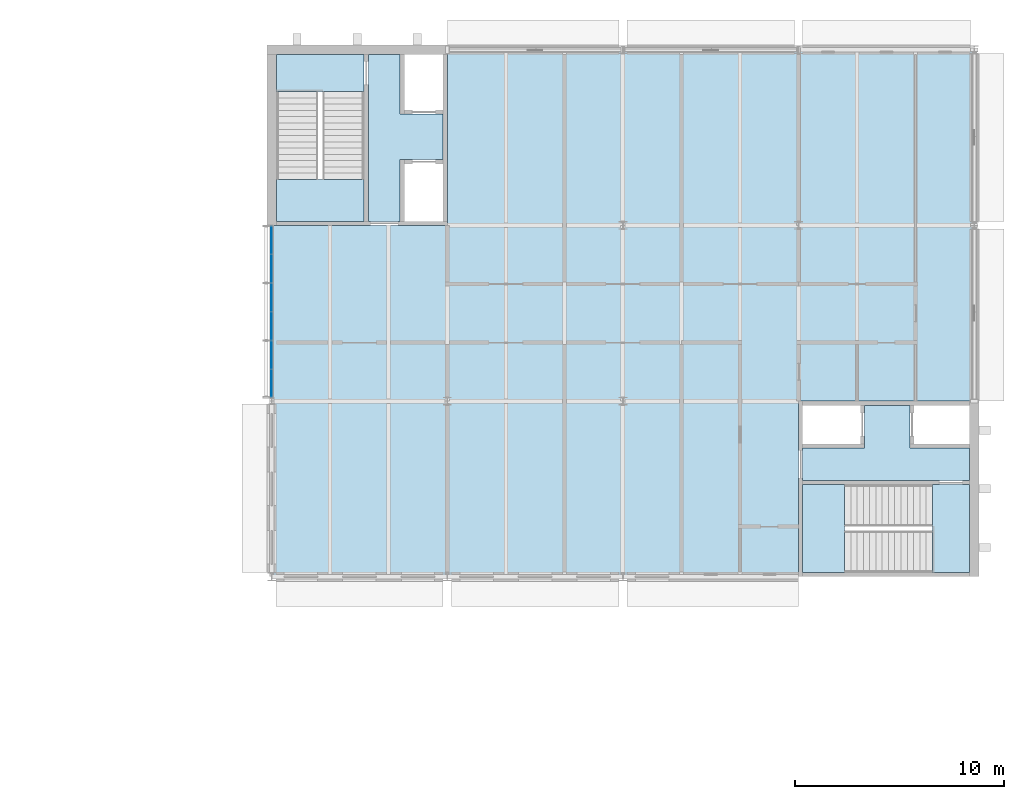
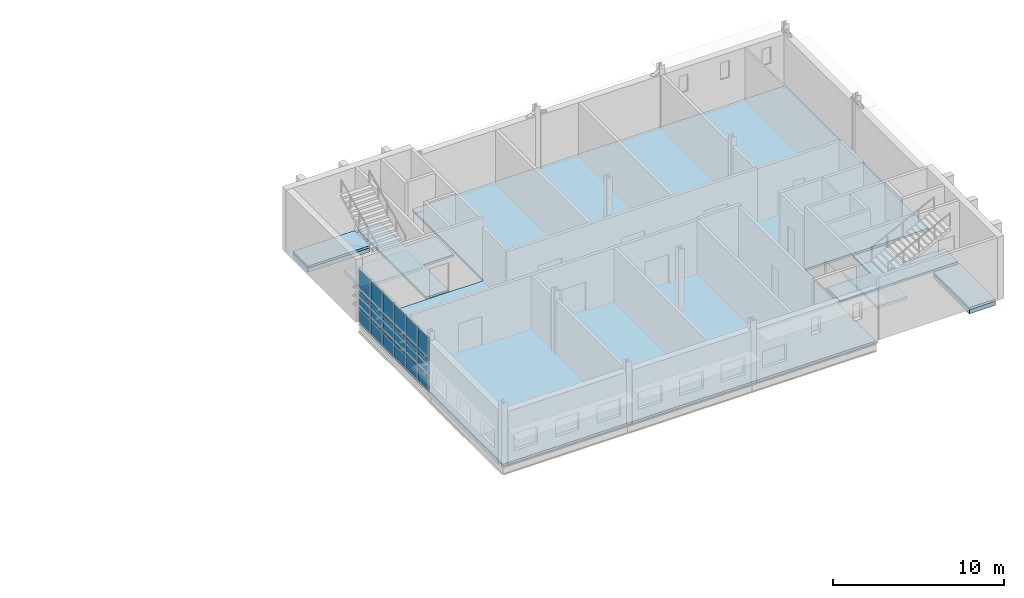
# One storey, part 27 of 42: 18 plates, 9 slabs, 3 elements without a shape of their own.
"""IFC4 building model written with IfcOpenShell, lengths in metres."""

from ifc_helpers import new_model, si_unit, direction, frame, origin, origin_2d, place, context, subcontext, project, spatial, polyline, rectangle, outline, extrude, material, layer, layer_set, type_object, element, aggregate, save


model = new_model("IFC4")

# Units and contexts
model_context = context("Model", 3, precision=1e-05, world=origin(), true_north=direction((0.0, 1.0)))
body_context = subcontext(model_context, "Body", "Model", "MODEL_VIEW")
ifc_project = project(units=[si_unit("LENGTHUNIT", "METRE"), si_unit("AREAUNIT", "SQUARE_METRE"), si_unit("VOLUMEUNIT", "CUBIC_METRE"), si_unit("PLANEANGLEUNIT", "RADIAN"), si_unit("MASSUNIT", "GRAM", prefix="KILO")], contexts=[model_context])

# Site, building, storey
site_placement = place(None, origin())
site = spatial("IfcSite", under=ifc_project, at=site_placement, CompositionType="ELEMENT")
building_placement = place(site_placement, origin())
building = spatial("IfcBuilding", under=site, at=building_placement, Name="Ardhachandra Cancer Care Centre", CompositionType="ELEMENT")
storey_placement = place(building_placement, frame((0.0, 0.0, 22.5)))
storey = spatial("IfcBuildingStorey", under=building, at=storey_placement, Name="L05", CompositionType="ELEMENT", Elevation=22.5)

# Slabs
ifc_material_1 = material(Name="Composite slab Concrete M30 on steel deck", Category="concrete")
ifc_layer_1 = layer(ifc_material_1, 0.14990234375)
ifc_layer_set_1 = layer_set([ifc_layer_1], Name="Composite slab Concrete M30 on steel deck")
slab_type_1 = type_object("IfcSlabType", Name="Composite floor slab 150", PredefinedType="FLOOR", material=ifc_layer_set_1)
slab_1_placement = place(storey_placement, frame((0.0, 0.0, -0.14990234375)))
element("IfcSlab", 1, at=slab_1_placement, inside=storey, type_object=slab_type_1, Name="Floor slab V5", PredefinedType="FLOOR", context=body_context, shape_type="SweptSolid", body=[
    extrude(outline(polyline([(120.0, 105.0), (120.0, 96.60009765625), (111.60009765625, 96.60009765625), (111.60009765625, 79.800048828125), (136.800048828125, 79.800048828125), (136.800048828125, 88.199951171875), (145.199951171875, 88.199951171875), (145.199951171875, 105.0), (120.0, 105.0)])), origin(), (0.0, 0.0, 1.0), 0.14990234375),
])
ifc_material_2 = material(Name="Concrete M40", Category="concrete")
ifc_layer_2 = layer(ifc_material_2, 0.14990234375)
ifc_layer_set_2 = layer_set([ifc_layer_2], Name="Concrete M40")
slab_type_2 = type_object("IfcSlabType", Name="Core floor slab 150", PredefinedType="FLOOR", material=ifc_layer_set_2)
slab_2_placement = place(storey_placement, frame((0.0, 0.0, -0.14990234375)))
element("IfcSlab", 2, at=slab_2_placement, inside=storey, type_object=slab_type_2, Name="Core floor slab K12 L05 1", PredefinedType="FLOOR", context=body_context, shape_type="SweptSolid", body=[
    extrude(outline(polyline([(111.824951171875, 104.77490234375), (116.02490234375, 104.77490234375), (116.02490234375, 103.0), (111.824951171875, 103.0), (111.824951171875, 104.77490234375)])), origin(), (0.0, 0.0, 1.0), 0.14990234375),
])
slab_3_placement = place(storey_placement, frame((0.0, 0.0, -0.14990234375)))
element("IfcSlab", 3, at=slab_3_placement, inside=storey, type_object=slab_type_2, Name="Core floor slab K12 L05 2", PredefinedType="FLOOR", context=body_context, shape_type="SweptSolid", body=[
    extrude(outline(polyline([(119.800048828125, 99.75), (117.949951171875, 99.75), (117.75, 99.75), (117.75, 96.800048828125), (116.22509765625, 96.800048828125), (116.22509765625, 104.77490234375), (117.75, 104.77490234375), (117.75, 101.925048828125), (117.949951171875, 101.925048828125), (119.800048828125, 101.925048828125), (119.800048828125, 99.75)])), origin(), (0.0, 0.0, 1.0), 0.14990234375),
])
slab_4_placement = place(storey_placement, frame((0.0, 0.0, -0.14990234375)))
element("IfcSlab", 4, at=slab_4_placement, inside=storey, type_object=slab_type_2, Name="Core floor slab K13 L05 1", PredefinedType="FLOOR", context=body_context, shape_type="SweptSolid", body=[
    extrude(outline(polyline([(144.97509765625, 80.0), (144.97509765625, 84.199951171875), (143.199951171875, 84.199951171875), (143.199951171875, 80.0), (144.97509765625, 80.0)])), origin(), (0.0, 0.0, 1.0), 0.14990234375),
])
slab_5_placement = place(storey_placement, frame((0.0, 0.0, -0.14990234375)))
element("IfcSlab", 5, at=slab_5_placement, inside=storey, type_object=slab_type_2, Name="Core floor slab K13 L05 2", PredefinedType="FLOOR", context=body_context, shape_type="SweptSolid", body=[
    extrude(outline(polyline([(139.949951171875, 88.0), (139.949951171875, 86.14990234375), (139.949951171875, 85.949951171875), (137.0, 85.949951171875), (137.0, 84.39990234375), (144.97509765625, 84.39990234375), (144.97509765625, 85.949951171875), (142.125, 85.949951171875), (142.125, 86.14990234375), (142.125, 88.0), (139.949951171875, 88.0)])), origin(), (0.0, 0.0, 1.0), 0.14990234375),
])
ifc_material_3 = material(Name="Concrete M40", Category="concrete")
ifc_layer_3 = layer(ifc_material_3, 0.300048828125)
ifc_layer_set_3 = layer_set([ifc_layer_3], Name="Concrete M40")
slab_type_3 = type_object("IfcSlabType", Name="Core stair edge slab 300", PredefinedType="FLOOR", material=ifc_layer_set_3)
slab_6_placement = place(storey_placement, frame((0.0, 0.0, -0.449951171875)))
element("IfcSlab", 6, at=slab_6_placement, inside=storey, type_object=slab_type_3, Name="Core stair edge slab K12 L05", PredefinedType="FLOOR", context=body_context, shape_type="SweptSolid", body=[
    extrude(outline(polyline([(111.824951171875, 103.0), (116.02490234375, 103.0), (116.02490234375, 104.77490234375), (111.824951171875, 104.77490234375), (111.824951171875, 103.0)])), origin(), (0.0, 0.0, 1.0), 0.300048828125),
])
slab_7_placement = place(storey_placement, frame((0.0, 0.0, -0.449951171875)))
element("IfcSlab", 7, at=slab_7_placement, inside=storey, type_object=slab_type_3, Name="Core stair edge slab K13 L05", PredefinedType="FLOOR", context=body_context, shape_type="SweptSolid", body=[
    extrude(outline(polyline([(143.199951171875, 80.0), (143.199951171875, 84.199951171875), (144.97509765625, 84.199951171875), (144.97509765625, 80.0), (143.199951171875, 80.0)])), origin(), (0.0, 0.0, 1.0), 0.300048828125),
])

# Curtain wall, plates
ifc_material_4 = material(Name="Aluminium extrusion", Category="aluminium")
ifc_layer_4 = layer(ifc_material_4, 0.14990234375)
ifc_layer_set_4 = layer_set([ifc_layer_4], Name="Aluminium extrusion")
curtain_wall_type = type_object("IfcCurtainWallType", Name="Curtain wall run", PredefinedType="NOTDEFINED", material=ifc_layer_set_4)
curtain_wall_placement = place(storey_placement, origin())
curtain_wall = element("IfcCurtainWall", 8, at=curtain_wall_placement, inside=storey, type_object=curtain_wall_type, Name="Curtain wall L05 w/0111600_0088200", PredefinedType="NOTDEFINED")
ifc_material_5 = material(Name="Low-iron double-glazed unit")
ifc_layer_5 = layer(ifc_material_5, 0.028076171875)
ifc_layer_set_5 = layer_set([ifc_layer_5], Name="Low-iron double-glazed unit")
plate_type_1 = type_object("IfcPlateType", Name="Curtain wall glazing 28", PredefinedType="CURTAIN_PANEL", material=ifc_layer_set_5)
plate_1_placement = place(storey_placement, frame((111.60009765625, 91.78759765625, 0.93017578125), z_axis=(0.0, 0.0, 1.0), x_axis=(0.0, 1.0, 0.0)))
plate_1 = element("IfcPlate", 9, at=plate_1_placement, type_object=plate_type_1, Name="CW panel 3.2", PredefinedType="CURTAIN_PANEL", context=body_context, shape_type="SweptSolid", body=[
    extrude(rectangle(XDim=1.31494140625, YDim=0.028076171875, at=origin_2d()), origin(), (0.0, 0.0, 1.0), 1.139892578125),
])
plate_2_placement = place(storey_placement, frame((111.60009765625, 91.78759765625, 2.1298828125), z_axis=(0.0, 0.0, 1.0), x_axis=(0.0, 1.0, 0.0)))
plate_2 = element("IfcPlate", 10, at=plate_2_placement, type_object=plate_type_1, Name="CW panel 3.3", PredefinedType="CURTAIN_PANEL", context=body_context, shape_type="SweptSolid", body=[
    extrude(rectangle(XDim=1.31494140625, YDim=0.028076171875, at=origin_2d()), origin(), (0.0, 0.0, 1.0), 1.659912109375),
])
plate_3_placement = place(storey_placement, frame((111.60009765625, 93.16259765625, 0.93017578125), z_axis=(0.0, 0.0, 1.0), x_axis=(0.0, 1.0, 0.0)))
plate_3 = element("IfcPlate", 11, at=plate_3_placement, type_object=plate_type_1, Name="CW panel 4.2", PredefinedType="CURTAIN_PANEL", context=body_context, shape_type="SweptSolid", body=[
    extrude(rectangle(XDim=1.31494140625, YDim=0.028076171875, at=origin_2d()), origin(), (0.0, 0.0, 1.0), 1.139892578125),
])
plate_4_placement = place(storey_placement, frame((111.60009765625, 93.16259765625, 2.1298828125), z_axis=(0.0, 0.0, 1.0), x_axis=(0.0, 1.0, 0.0)))
plate_4 = element("IfcPlate", 12, at=plate_4_placement, type_object=plate_type_1, Name="CW panel 4.3", PredefinedType="CURTAIN_PANEL", context=body_context, shape_type="SweptSolid", body=[
    extrude(rectangle(XDim=1.31494140625, YDim=0.028076171875, at=origin_2d()), origin(), (0.0, 0.0, 1.0), 1.659912109375),
])
plate_5_placement = place(storey_placement, frame((111.60009765625, 94.53759765625, 0.93017578125), z_axis=(0.0, 0.0, 1.0), x_axis=(0.0, 1.0, 0.0)))
plate_5 = element("IfcPlate", 13, at=plate_5_placement, type_object=plate_type_1, Name="CW panel 5.2", PredefinedType="CURTAIN_PANEL", context=body_context, shape_type="SweptSolid", body=[
    extrude(rectangle(XDim=1.31494140625, YDim=0.028076171875, at=origin_2d()), origin(), (0.0, 0.0, 1.0), 1.139892578125),
])
plate_6_placement = place(storey_placement, frame((111.60009765625, 94.53759765625, 2.1298828125), z_axis=(0.0, 0.0, 1.0), x_axis=(0.0, 1.0, 0.0)))
plate_6 = element("IfcPlate", 14, at=plate_6_placement, type_object=plate_type_1, Name="CW panel 5.3", PredefinedType="CURTAIN_PANEL", context=body_context, shape_type="SweptSolid", body=[
    extrude(rectangle(XDim=1.31494140625, YDim=0.028076171875, at=origin_2d()), origin(), (0.0, 0.0, 1.0), 1.659912109375),
])
plate_7_placement = place(storey_placement, frame((111.60009765625, 95.8974609375, 0.93017578125), z_axis=(0.0, 0.0, 1.0), x_axis=(0.0, 1.0, 0.0)))
plate_7 = element("IfcPlate", 15, at=plate_7_placement, type_object=plate_type_1, Name="CW panel 6.2", PredefinedType="CURTAIN_PANEL", context=body_context, shape_type="SweptSolid", body=[
    extrude(rectangle(XDim=1.284912109375, YDim=0.028076171875, at=origin_2d()), origin(), (0.0, 0.0, 1.0), 1.139892578125),
])
plate_8_placement = place(storey_placement, frame((111.60009765625, 95.8974609375, 2.1298828125), z_axis=(0.0, 0.0, 1.0), x_axis=(0.0, 1.0, 0.0)))
plate_8 = element("IfcPlate", 16, at=plate_8_placement, type_object=plate_type_1, Name="CW panel 6.3", PredefinedType="CURTAIN_PANEL", context=body_context, shape_type="SweptSolid", body=[
    extrude(rectangle(XDim=1.284912109375, YDim=0.028076171875, at=origin_2d()), origin(), (0.0, 0.0, 1.0), 1.659912109375),
])
ifc_material_6 = material(Name="Aluminium composite spandrel panel", Category="aluminium")
ifc_layer_6 = layer(ifc_material_6, 0.028076171875)
ifc_layer_set_6 = layer_set([ifc_layer_6], Name="Aluminium composite spandrel panel")
plate_type_2 = type_object("IfcPlateType", Name="Curtain wall spandrel panel 28", PredefinedType="CURTAIN_PANEL", material=ifc_layer_set_6)
plate_9_placement = place(storey_placement, frame((111.60009765625, 89.052490234375, 0.06005859375), z_axis=(0.0, 0.0, 1.0), x_axis=(0.0, 1.0, 0.0)))
plate_9 = element("IfcPlate", 17, at=plate_9_placement, type_object=plate_type_2, Name="CW panel 1.1", PredefinedType="CURTAIN_PANEL", context=body_context, shape_type="SweptSolid", body=[
    extrude(rectangle(XDim=1.284912109375, YDim=0.028076171875, at=origin_2d()), origin(), (0.0, 0.0, 1.0), 0.81005859375),
])
plate_10_placement = place(storey_placement, frame((111.60009765625, 89.052490234375, 0.93017578125), z_axis=(0.0, 0.0, 1.0), x_axis=(0.0, 1.0, 0.0)))
plate_10 = element("IfcPlate", 18, at=plate_10_placement, type_object=plate_type_2, Name="CW panel 1.2", PredefinedType="CURTAIN_PANEL", context=body_context, shape_type="SweptSolid", body=[
    extrude(rectangle(XDim=1.284912109375, YDim=0.028076171875, at=origin_2d()), origin(), (0.0, 0.0, 1.0), 1.139892578125),
])
plate_11_placement = place(storey_placement, frame((111.60009765625, 89.052490234375, 2.1298828125), z_axis=(0.0, 0.0, 1.0), x_axis=(0.0, 1.0, 0.0)))
plate_11 = element("IfcPlate", 19, at=plate_11_placement, type_object=plate_type_2, Name="CW panel 1.3", PredefinedType="CURTAIN_PANEL", context=body_context, shape_type="SweptSolid", body=[
    extrude(rectangle(XDim=1.284912109375, YDim=0.028076171875, at=origin_2d()), origin(), (0.0, 0.0, 1.0), 1.659912109375),
])
plate_12_placement = place(storey_placement, frame((111.60009765625, 90.41259765625, 0.06005859375), z_axis=(0.0, 0.0, 1.0), x_axis=(0.0, 1.0, 0.0)))
plate_12 = element("IfcPlate", 20, at=plate_12_placement, type_object=plate_type_2, Name="CW panel 2.1", PredefinedType="CURTAIN_PANEL", context=body_context, shape_type="SweptSolid", body=[
    extrude(rectangle(XDim=1.31494140625, YDim=0.028076171875, at=origin_2d()), origin(), (0.0, 0.0, 1.0), 0.81005859375),
])
plate_13_placement = place(storey_placement, frame((111.60009765625, 90.41259765625, 0.93017578125), z_axis=(0.0, 0.0, 1.0), x_axis=(0.0, 1.0, 0.0)))
plate_13 = element("IfcPlate", 21, at=plate_13_placement, type_object=plate_type_2, Name="CW panel 2.2", PredefinedType="CURTAIN_PANEL", context=body_context, shape_type="SweptSolid", body=[
    extrude(rectangle(XDim=1.31494140625, YDim=0.028076171875, at=origin_2d()), origin(), (0.0, 0.0, 1.0), 1.139892578125),
])
plate_14_placement = place(storey_placement, frame((111.60009765625, 90.41259765625, 2.1298828125), z_axis=(0.0, 0.0, 1.0), x_axis=(0.0, 1.0, 0.0)))
plate_14 = element("IfcPlate", 22, at=plate_14_placement, type_object=plate_type_2, Name="CW panel 2.3", PredefinedType="CURTAIN_PANEL", context=body_context, shape_type="SweptSolid", body=[
    extrude(rectangle(XDim=1.31494140625, YDim=0.028076171875, at=origin_2d()), origin(), (0.0, 0.0, 1.0), 1.659912109375),
])
plate_15_placement = place(storey_placement, frame((111.60009765625, 91.78759765625, 0.06005859375), z_axis=(0.0, 0.0, 1.0), x_axis=(0.0, 1.0, 0.0)))
plate_15 = element("IfcPlate", 23, at=plate_15_placement, type_object=plate_type_2, Name="CW panel 3.1", PredefinedType="CURTAIN_PANEL", context=body_context, shape_type="SweptSolid", body=[
    extrude(rectangle(XDim=1.31494140625, YDim=0.028076171875, at=origin_2d()), origin(), (0.0, 0.0, 1.0), 0.81005859375),
])
plate_16_placement = place(storey_placement, frame((111.60009765625, 93.16259765625, 0.06005859375), z_axis=(0.0, 0.0, 1.0), x_axis=(0.0, 1.0, 0.0)))
plate_16 = element("IfcPlate", 24, at=plate_16_placement, type_object=plate_type_2, Name="CW panel 4.1", PredefinedType="CURTAIN_PANEL", context=body_context, shape_type="SweptSolid", body=[
    extrude(rectangle(XDim=1.31494140625, YDim=0.028076171875, at=origin_2d()), origin(), (0.0, 0.0, 1.0), 0.81005859375),
])
plate_17_placement = place(storey_placement, frame((111.60009765625, 94.53759765625, 0.06005859375), z_axis=(0.0, 0.0, 1.0), x_axis=(0.0, 1.0, 0.0)))
plate_17 = element("IfcPlate", 25, at=plate_17_placement, type_object=plate_type_2, Name="CW panel 5.1", PredefinedType="CURTAIN_PANEL", context=body_context, shape_type="SweptSolid", body=[
    extrude(rectangle(XDim=1.31494140625, YDim=0.028076171875, at=origin_2d()), origin(), (0.0, 0.0, 1.0), 0.81005859375),
])
plate_18_placement = place(storey_placement, frame((111.60009765625, 95.8974609375, 0.06005859375), z_axis=(0.0, 0.0, 1.0), x_axis=(0.0, 1.0, 0.0)))
plate_18 = element("IfcPlate", 26, at=plate_18_placement, type_object=plate_type_2, Name="CW panel 6.1", PredefinedType="CURTAIN_PANEL", context=body_context, shape_type="SweptSolid", body=[
    extrude(rectangle(XDim=1.284912109375, YDim=0.028076171875, at=origin_2d()), origin(), (0.0, 0.0, 1.0), 0.81005859375),
])
aggregate(curtain_wall, [plate_9, plate_10, plate_11, plate_12, plate_13, plate_14, plate_15, plate_1, plate_2, plate_16, plate_3, plate_4, plate_17, plate_5, plate_6, plate_18, plate_7, plate_8])

# Stair, slab
ifc_material_7 = material(Name="Concrete M40", Category="concrete")
stair_type = type_object("IfcStairType", Name="Dog-leg stair 2000", PredefinedType="HALF_TURN_STAIR", material=ifc_material_7)
stair_1_placement = place(storey_placement, origin())
stair_1 = element("IfcStair", 27, at=stair_1_placement, inside=storey, type_object=stair_type, Name="Stair K12 L05-Roof", PredefinedType="HALF_TURN_STAIR")
ifc_material_8 = material(Name="Concrete M40", Category="concrete")
ifc_layer_7 = layer(ifc_material_8, 0.199951171875)
ifc_layer_set_7 = layer_set([ifc_layer_7], Name="Concrete M40")
slab_type_4 = type_object("IfcSlabType", Name="Stair landing 200", PredefinedType="LANDING", material=ifc_layer_set_7)
slab_8_placement = place(storey_placement, frame((0.0, 0.0, 2.050048828125)))
slab_8 = element("IfcSlab", 28, at=slab_8_placement, type_object=slab_type_4, Name="stair K12 L05-Roof landing 1", PredefinedType="LANDING", context=body_context, shape_type="SweptSolid", body=[
    extrude(outline(polyline([(111.824951171875, 96.800048828125), (116.02490234375, 96.800048828125), (116.02490234375, 98.800048828125), (111.824951171875, 98.800048828125), (111.824951171875, 96.800048828125)])), origin(), (0.0, 0.0, 1.0), 0.199951171875),
])
aggregate(stair_1, [slab_8])

stair_2_placement = place(storey_placement, origin())
stair_2 = element("IfcStair", 29, at=stair_2_placement, inside=storey, type_object=stair_type, Name="Stair K13 L05-Roof", PredefinedType="HALF_TURN_STAIR")
slab_9_placement = place(storey_placement, frame((0.0, 0.0, 2.050048828125)))
slab_9 = element("IfcSlab", 30, at=slab_9_placement, type_object=slab_type_4, Name="stair K13 L05-Roof landing 1", PredefinedType="LANDING", context=body_context, shape_type="SweptSolid", body=[
    extrude(outline(polyline([(137.0, 80.0), (139.0, 80.0), (139.0, 84.199951171875), (137.0, 84.199951171875), (137.0, 80.0)])), origin(), (0.0, 0.0, 1.0), 0.199951171875),
])
aggregate(stair_2, [slab_9])

save(model, "model.ifc")
